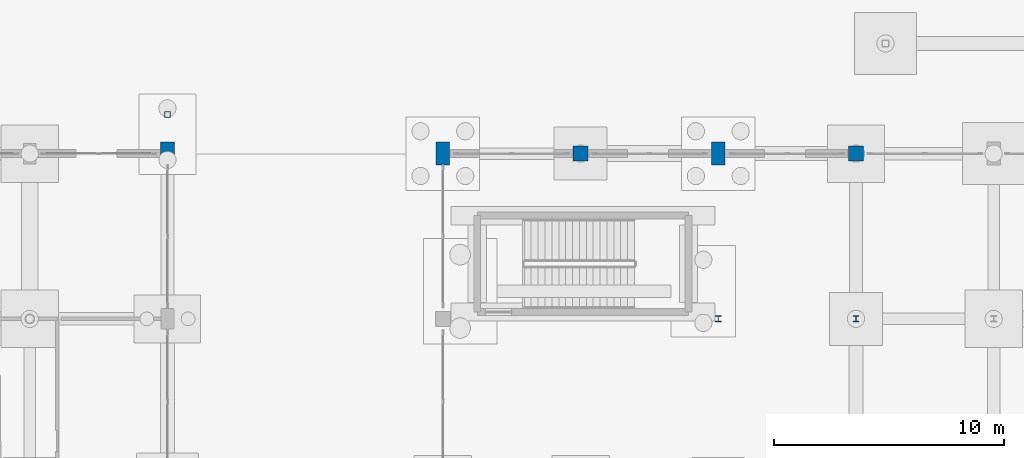
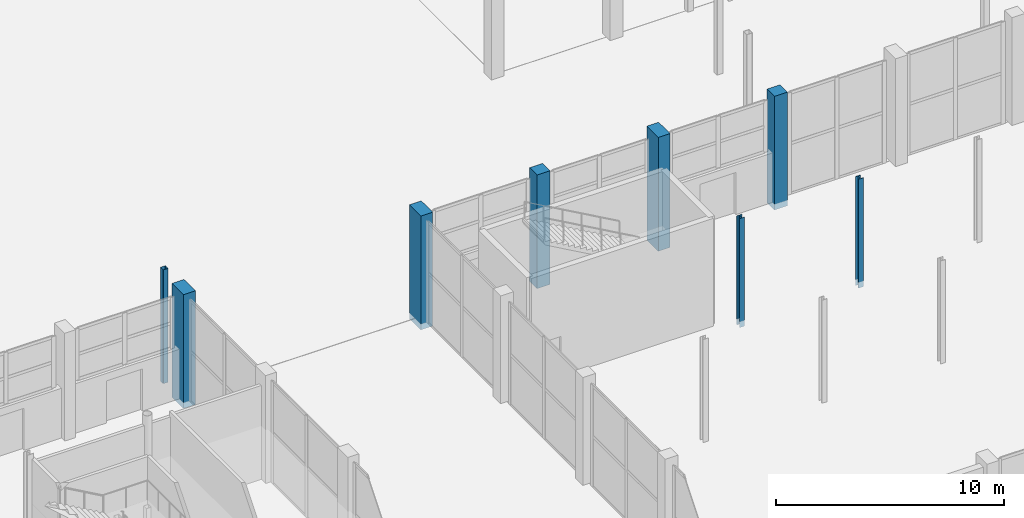
# One storey, part 30 of 103: 8 columns.
"""IFC4 building model written with IfcOpenShell, lengths in metres."""

from ifc_helpers import new_model, si_unit, direction, frame, origin, origin_2d, place, context, subcontext, project, spatial, rectangle, hollow_rectangle, i_section, extrude, material, material_profile, profile_set, type_object, element, save


model = new_model("IFC4")

# Units and contexts
model_context = context("Model", 3, precision=1e-05, world=origin(), true_north=direction((0.0, 1.0)))
body_context = subcontext(model_context, "Body", "Model", "MODEL_VIEW")
ifc_project = project(units=[si_unit("LENGTHUNIT", "METRE"), si_unit("AREAUNIT", "SQUARE_METRE"), si_unit("VOLUMEUNIT", "CUBIC_METRE"), si_unit("PLANEANGLEUNIT", "RADIAN"), si_unit("MASSUNIT", "GRAM", prefix="KILO")], contexts=[model_context])

# Site, building, storey
site_placement = place(None, origin())
site = spatial("IfcSite", under=ifc_project, at=site_placement, CompositionType="ELEMENT")
building_placement = place(site_placement, origin())
building = spatial("IfcBuilding", under=site, at=building_placement, Name="Dunvalen Ferry Terminal", CompositionType="ELEMENT")
storey_placement = place(building_placement, origin())
storey = spatial("IfcBuildingStorey", under=building, at=storey_placement, Name="L00", CompositionType="ELEMENT", Elevation=0.0)

# Columns
ifc_material_1 = material(Name="Concrete C40/50", Category="concrete")
ifc_material_profile_1 = material_profile(ifc_material_1, rectangle(XDim=0.60009765625, YDim=1.0, at=origin_2d()), Name="Concrete C40/50")
ifc_profile_set_1 = profile_set([ifc_material_profile_1], Name="Concrete C40/50")
column_type_1 = type_object("IfcColumnType", Name="STR-COL-PIER1000", PredefinedType="COLUMN", material=ifc_profile_set_1)
for number, where, z_axis, x_axis, name in (
    (1, (96.0, 86.39990234375, -0.320068359375), (0.0, 0.0, 1.0), (1.0, 0.0, 0.0), "L00 Departure Hall Perimeter Pier 30"),
    (2, (108.0, 86.39990234375, -0.320068359375), (0.0, 0.0, 1.0), (1.0, 0.0, 0.0), "L00 Arrivals Hall Pier 12"),
    (3, (120.0, 86.39990234375, -0.320068359375), (0.0, 0.0, 1.0), (1.0, 0.0, 0.0), "L00 Arrivals Hall Pier 14"),
):
    element("IfcColumn", number, at=place(storey_placement, frame(where, z_axis=z_axis, x_axis=x_axis)), inside=storey, type_object=column_type_1, Name=name, PredefinedType="COLUMN", context=body_context, shape_type="SweptSolid", body=[
        extrude(rectangle(XDim=0.60009765625, YDim=1.0, at=origin_2d()), origin(), (0.0, 0.0, 1.0), 6.080078125),
    ])
ifc_material_profile_2 = material_profile(ifc_material_1, rectangle(XDim=0.64990234375, YDim=0.64990234375, at=origin_2d()), Name="Concrete C40/50")
ifc_profile_set_2 = profile_set([ifc_material_profile_2], Name="Concrete C40/50")
column_type_2 = type_object("IfcColumnType", Name="STR-COL-RC650", PredefinedType="COLUMN", material=ifc_profile_set_2)
for number, where, z_axis, x_axis, name in (
    (4, (114.0, 86.39990234375, -0.320068359375), (0.0, 0.0, 1.0), (1.0, 0.0, 0.0), "L00 Arrivals Hall Pier 13"),
    (5, (126.0, 86.39990234375, -0.320068359375), (0.0, 0.0, 1.0), (1.0, 0.0, 0.0), "L00 Arrivals Hall Pier 15"),
):
    element("IfcColumn", number, at=place(storey_placement, frame(where, z_axis=z_axis, x_axis=x_axis)), inside=storey, type_object=column_type_2, Name=name, PredefinedType="COLUMN", context=body_context, shape_type="SweptSolid", body=[
        extrude(rectangle(XDim=0.64990234375, YDim=0.64990234375, at=origin_2d()), origin(), (0.0, 0.0, 1.0), 6.080078125),
    ])
ifc_material_2 = material(Name="Steel S355", Category="steel")
ifc_material_profile_3 = material_profile(ifc_material_2, hollow_rectangle(XDim=0.25, YDim=0.25, WallThickness=0.010009765625, InnerFilletRadius=0.010009765625, OuterFilletRadius=0.02001953125, at=origin_2d()), Name="Steel S355")
ifc_profile_set_3 = profile_set([ifc_material_profile_3], Name="Steel S355")
column_type_3 = type_object("IfcColumnType", Name="STR-COL-SHS250", PredefinedType="COLUMN", material=ifc_profile_set_3)
column_placement = place(storey_placement, frame((96.0, 88.10009765625, -0.320068359375), z_axis=(0.0, 0.0, 1.0), x_axis=(1.0, 0.0, 0.0)))
element("IfcColumn", 6, at=column_placement, inside=storey, type_object=column_type_3, Name="L00 Eave Colonnade Post 3", PredefinedType="COLUMN", context=body_context, shape_type="SweptSolid", body=[
    extrude(hollow_rectangle(XDim=0.25, YDim=0.25, WallThickness=0.010009765625, InnerFilletRadius=0.010009765625, OuterFilletRadius=0.02001953125, at=origin_2d()), origin(), (0.0, 0.0, 1.0), 6.080078125),
])
ifc_material_profile_4 = material_profile(ifc_material_2, i_section(OverallWidth=0.25634765625, OverallDepth=0.26025390625, WebThickness=0.01025390625, FlangeThickness=0.017333984375, FilletRadius=0.0126953125, at=origin_2d()), Name="Steel S355")
ifc_profile_set_4 = profile_set([ifc_material_profile_4], Name="Steel S355")
column_type_4 = type_object("IfcColumnType", Name="STR-COL-UKC254", PredefinedType="COLUMN", material=ifc_profile_set_4)
for number, where, z_axis, x_axis, name in (
    (7, (120.0, 79.199951171875, -0.320068359375), (0.0, 0.0, 1.0), (1.0, 0.0, 0.0), "L00 Immigration Mezzanine Column 120-79"),
    (8, (126.0, 79.199951171875, -0.320068359375), (0.0, 0.0, 1.0), (1.0, 0.0, 0.0), "L00 Immigration Mezzanine Column 126-79"),
):
    element("IfcColumn", number, at=place(storey_placement, frame(where, z_axis=z_axis, x_axis=x_axis)), inside=storey, type_object=column_type_4, Name=name, PredefinedType="COLUMN", context=body_context, shape_type="SweptSolid", body=[
        extrude(i_section(OverallWidth=0.25634765625, OverallDepth=0.26025390625, WebThickness=0.01025390625, FlangeThickness=0.017333984375, FilletRadius=0.0126953125, at=origin_2d()), origin(), (0.0, 0.0, 1.0), 5.820068359375),
    ])

save(model, "model.ifc")
